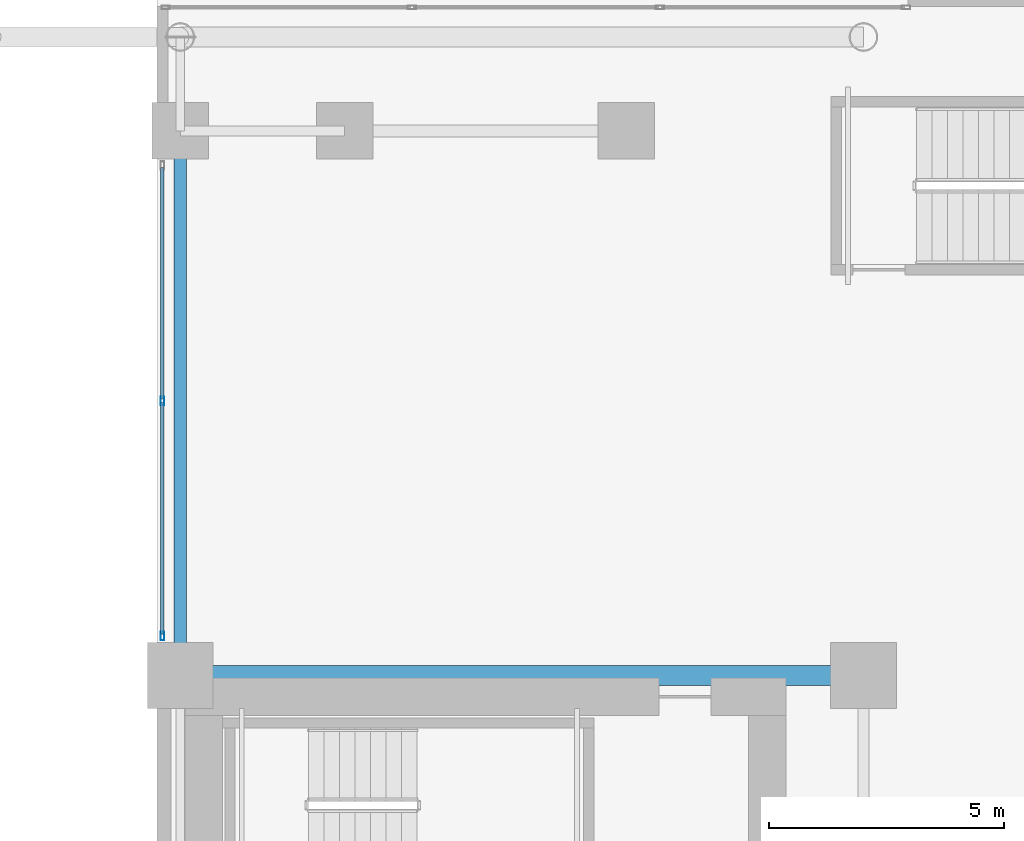
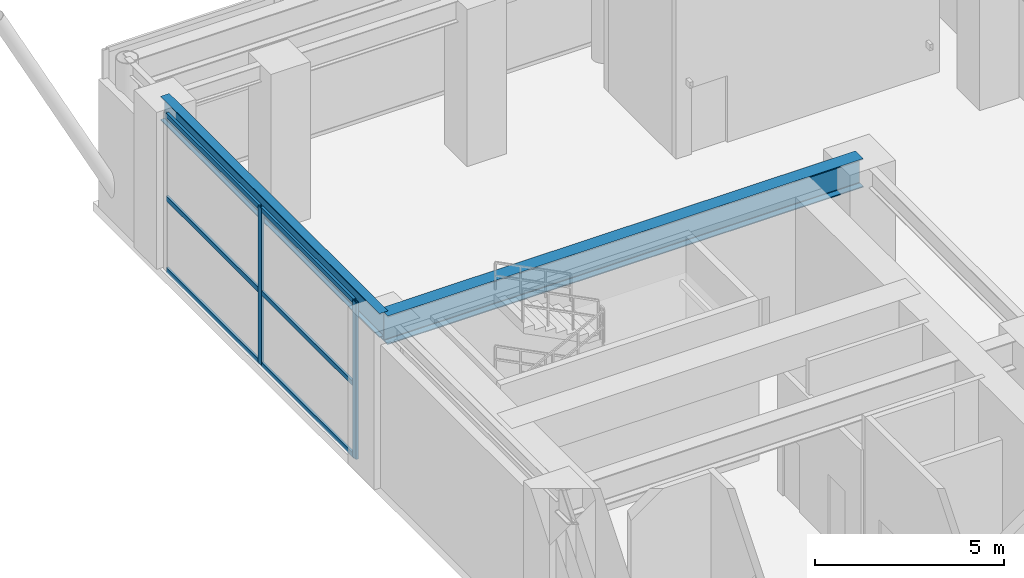
# One storey, part 15 of 29: 8 members, 2 beams, 1 element without a shape of its own.
"""IFC4 building model written with IfcOpenShell, lengths in metres."""

import ifcopenshell
import ifcopenshell.guid

model = None  # the IFC model being written
_history = None  # IfcOwnerHistory: only IFC2X3 demands one
_inside = {}  # id of a spatial element -> (the spatial element, [elements in it])
_under = {}  # id of a project, library or spatial element -> (it, [spatial elements below it])
_declared = {}  # id of a project -> (the project, [libraries it declares])
_typed = {}  # id of a type object -> (the type object, [elements of that type])
_made_of = {}  # id of a material, layer set ... -> (it, [elements and type objects made of it])


def new_model(schema):
    """Start an empty IFC model of exactly this schema.

    Asked for "IFC4X3", IfcOpenShell would pick the latest addendum, in which some entities
    have other attributes; the version numbers below select the first issue.
    IFC2X3 requires an IfcOwnerHistory on every rooted entity: one is made here for all.
    """
    global model, _history
    if schema == "IFC4X3":
        model = ifcopenshell.file(schema_version=(4, 3, 0, 0))
    else:
        model = ifcopenshell.file(schema=schema)
    _inside.clear()
    _under.clear()
    _declared.clear()
    _typed.clear()
    _made_of.clear()
    _history = None
    if model.schema == "IFC2X3":
        org = make("IfcOrganization", Name="unknown")
        user = make(
            "IfcPersonAndOrganization",
            ThePerson=make("IfcPerson", FamilyName="unknown"),
            TheOrganization=org,
        )
        app = make(
            "IfcApplication",
            ApplicationDeveloper=org,
            Version="unknown",
            ApplicationFullName="unknown",
            ApplicationIdentifier="unknown",
        )
        _history = make(
            "IfcOwnerHistory",
            OwningUser=user,
            OwningApplication=app,
            ChangeAction="ADDED",
            CreationDate=0,
        )
    return model


def make(cls, **values):
    """One entity of the class cls with the attributes given. An attribute that is None is left unset."""
    return model.create_entity(
        cls, **{name: value for name, value in values.items() if value is not None}
    )


def rooted(cls, **values):
    """An entity with a GlobalId (a new one), such as an element, a storey or a relation."""
    return make(cls, GlobalId=ifcopenshell.guid.new(), OwnerHistory=_history, **values)


def si_unit(unit_type, name, prefix=None):
    """IfcSIUnit, for example si_unit("LENGTHUNIT", "METRE", prefix="MILLI")."""
    return make("IfcSIUnit", UnitType=unit_type, Prefix=prefix, Name=name)


def assignment(units):
    """IfcUnitAssignment: the units of a project."""
    return None if units is None else make("IfcUnitAssignment", Units=units)


def point(xyz):
    """IfcCartesianPoint."""
    return None if xyz is None else make("IfcCartesianPoint", Coordinates=xyz)


def direction(xyz):
    """IfcDirection."""
    return None if xyz is None else make("IfcDirection", DirectionRatios=xyz)


def frame(location, z_axis=None, x_axis=None):
    """IfcAxis2Placement3D, a coordinate frame: its origin and axes. An axis left out is left unset."""
    return make(
        "IfcAxis2Placement3D",
        Location=point(location),
        Axis=direction(z_axis),
        RefDirection=direction(x_axis),
    )


def frame_2d(location, x_axis=None):
    """IfcAxis2Placement2D, a coordinate frame in the plane: its origin and x axis."""
    return make(
        "IfcAxis2Placement2D", Location=point(location), RefDirection=direction(x_axis)
    )


def origin():
    """The frame at (0, 0, 0) with its axes left unset."""
    return frame((0.0, 0.0, 0.0))


def origin_2d():
    """The frame at (0, 0) in the plane with its x axis left unset."""
    return frame_2d((0.0, 0.0))


def place(relative_to, where):
    """IfcLocalPlacement: puts the frame where relative to a parent placement (None: the world)."""
    return make(
        "IfcLocalPlacement", PlacementRelTo=relative_to, RelativePlacement=where
    )


def context(
    kind, dimensions, precision=None, world=None, true_north=None, identifier=None
):
    """IfcGeometricRepresentationContext, for example the 3D "Model" context."""
    return make(
        "IfcGeometricRepresentationContext",
        ContextIdentifier=identifier,
        ContextType=kind,
        CoordinateSpaceDimension=dimensions,
        Precision=precision,
        WorldCoordinateSystem=world,
        TrueNorth=true_north,
    )


def subcontext(parent, identifier, kind, view, scale=None):
    """IfcGeometricRepresentationSubContext, for example "Body" below "Model"."""
    return make(
        "IfcGeometricRepresentationSubContext",
        ContextIdentifier=identifier,
        ContextType=kind,
        ParentContext=parent,
        TargetScale=scale,
        TargetView=view,
    )


def project(units=None, contexts=None):
    """IfcProject with its units and contexts."""
    return rooted(
        "IfcProject",
        Name="project",
        RepresentationContexts=contexts,
        UnitsInContext=assignment(units),
    )


def spatial(cls, under=None, at=None, **own):
    """A site, building, storey or space (cls), placed at a placement, below another one or the project."""
    s = rooted(cls, ObjectPlacement=at, **own)
    if under is not None:
        _under.setdefault(under.id(), (under, []))[1].append(s)
    return s


def profile(cls, at=None, kind="AREA", **sizes):
    """A parametric profile (cls). Its sizes go by their IFC names, for example OverallWidth=200.0."""
    return make(cls, ProfileType=kind, Position=at, **sizes)


def hollow_rectangle(**sizes):
    """IfcRectangleHollowProfileDef."""
    return profile("IfcRectangleHollowProfileDef", **sizes)


def i_section(**sizes):
    """IfcIShapeProfileDef."""
    return profile("IfcIShapeProfileDef", **sizes)


def extrude(swept, where, along, depth):
    """IfcExtrudedAreaSolid: the profile swept, set in the frame where, extruded along a direction by depth."""
    return make(
        "IfcExtrudedAreaSolid",
        SweptArea=swept,
        Position=where,
        ExtrudedDirection=direction(along),
        Depth=depth,
    )


def shape(context_of_items, identifier, shape_type, items):
    """IfcShapeRepresentation: the items that make up one representation, for example the "Body"."""
    return make(
        "IfcShapeRepresentation",
        ContextOfItems=context_of_items,
        RepresentationIdentifier=identifier,
        RepresentationType=shape_type,
        Items=items,
    )


def source(mapping_origin, context_of_items, identifier, shape_type, items):
    """IfcRepresentationMap: a shape defined once, which mapped items show again and again."""
    return make(
        "IfcRepresentationMap",
        MappingOrigin=mapping_origin,
        MappedRepresentation=shape(context_of_items, identifier, shape_type, items),
    )


def transform(
    local_origin,
    x_axis=None,
    y_axis=None,
    z_axis=None,
    scale=None,
    scale2=None,
    scale3=None,
    uniform=True,
):
    """IfcCartesianTransformationOperator3D, or its non-uniform kind. x_axis, y_axis, z_axis: its Axis1, 2, 3."""
    if uniform:
        return make(
            "IfcCartesianTransformationOperator3D",
            Axis1=direction(x_axis),
            Axis2=direction(y_axis),
            LocalOrigin=point(local_origin),
            Scale=scale,
            Axis3=direction(z_axis),
        )
    return make(
        "IfcCartesianTransformationOperator3DnonUniform",
        Axis1=direction(x_axis),
        Axis2=direction(y_axis),
        LocalOrigin=point(local_origin),
        Scale=scale,
        Axis3=direction(z_axis),
        Scale2=scale2,
        Scale3=scale3,
    )


def mapped(mapping_source, mapping_target):
    """IfcMappedItem: shows the shape of a source again, moved by a transform."""
    return make(
        "IfcMappedItem", MappingSource=mapping_source, MappingTarget=mapping_target
    )


def material(Name=None, Category=None):
    """IfcMaterial."""
    return make("IfcMaterial", Name=Name, Category=Category)


def layer(
    of_material, thickness, ventilated=None, Name=None, Category=None, Priority=None
):
    """IfcMaterialLayer: one layer of a wall or slab, of a material (None: an air gap)."""
    return make(
        "IfcMaterialLayer",
        Material=of_material,
        LayerThickness=thickness,
        IsVentilated=ventilated,
        Name=Name,
        Category=Category,
        Priority=Priority,
    )


def layer_set(layers, Name=None):
    """IfcMaterialLayerSet."""
    return make("IfcMaterialLayerSet", MaterialLayers=layers, LayerSetName=Name)


def material_profile(
    of_material, cross_section, Name=None, Category=None, Priority=None
):
    """IfcMaterialProfile: a cross section and its material."""
    return make(
        "IfcMaterialProfile",
        Name=Name,
        Material=of_material,
        Profile=cross_section,
        Priority=Priority,
        Category=Category,
    )


def profile_set(profiles, Name=None, composite=None):
    """IfcMaterialProfileSet."""
    return make(
        "IfcMaterialProfileSet",
        Name=Name,
        MaterialProfiles=profiles,
        CompositeProfile=composite,
    )


def made_of(thing, what):
    """Note that an element or type object is made of a material, layer set ...; save() writes the relation."""
    if what is not None:
        _made_of.setdefault(what.id(), (what, []))[1].append(thing)
    return thing


def type_object(cls, material=None, **own):
    """A type object (cls), such as IfcWallType, which elements share."""
    return made_of(rooted(cls, **own), material)


def element(
    cls,
    number,
    at=None,
    inside=None,
    cuts=None,
    type_object=None,
    material=None,
    context=None,
    identifier="Body",
    shape_type=None,
    held_by="IfcProductDefinitionShape",
    body=None,
    shapes=None,
    **own,
):
    """One element of the class cls, such as IfcWall. Its Tag is "e" and its number.

    at: its placement. inside: the storey or other place that contains it. cuts: it is an
    opening in that element (IfcRelVoidsElement). A single representation is given by context,
    identifier, shape_type and body (its items); several are given by shapes. held_by: the class
    of the entity that holds the representations. save() writes the other relations.
    """
    e = rooted(cls, Tag="e%d" % number, ObjectPlacement=at, **own)
    if body is not None:
        shapes = [shape(context, identifier, shape_type, body)]
    if shapes is not None:
        e.Representation = make(held_by, Representations=shapes)
    if inside is not None:
        _inside.setdefault(inside.id(), (inside, []))[1].append(e)
    if cuts is not None:
        rooted(
            "IfcRelVoidsElement", RelatingBuildingElement=cuts, RelatedOpeningElement=e
        )
    if type_object is not None:
        _typed.setdefault(type_object.id(), (type_object, []))[1].append(e)
    return made_of(e, material)


def aggregate(whole, parts):
    """IfcRelAggregates: a whole, such as a stair, and the parts it consists of."""
    return rooted("IfcRelAggregates", RelatingObject=whole, RelatedObjects=parts)


def save(model, path):
    """Write the relations noted so far, then the file.

    IfcRelAggregates (storeys below a building ...), IfcRelContainedInSpatialStructure (elements
    in a storey), IfcRelDefinesByType, IfcRelAssociatesMaterial and IfcRelDeclares: one each for
    every whole, place, type object, material and project.
    """
    for whole, parts in _under.values():
        aggregate(whole, parts)
    for where, things in _inside.values():
        rooted(
            "IfcRelContainedInSpatialStructure",
            RelatedElements=things,
            RelatingStructure=where,
        )
    for kind, things in _typed.values():
        rooted("IfcRelDefinesByType", RelatedObjects=things, RelatingType=kind)
    for what, things in _made_of.values():
        rooted("IfcRelAssociatesMaterial", RelatedObjects=things, RelatingMaterial=what)
    for by, libraries in _declared.values():
        rooted("IfcRelDeclares", RelatingContext=by, RelatedDefinitions=libraries)
    model.write(path)


model = new_model("IFC4")

# Units and contexts
model_context = context("Model", 3, precision=1e-05, world=origin(), true_north=direction((0.0, 1.0)))
body_context = subcontext(model_context, "Body", "Model", "MODEL_VIEW")
ifc_project = project(units=[si_unit("LENGTHUNIT", "METRE"), si_unit("AREAUNIT", "SQUARE_METRE"), si_unit("VOLUMEUNIT", "CUBIC_METRE"), si_unit("PLANEANGLEUNIT", "RADIAN"), si_unit("MASSUNIT", "GRAM", prefix="KILO")], contexts=[model_context])

# Site, building, storey
site_placement = place(None, origin())
site = spatial("IfcSite", under=ifc_project, at=site_placement, CompositionType="ELEMENT")
building_placement = place(site_placement, origin())
building = spatial("IfcBuilding", under=site, at=building_placement, Name="Ocotamira Hotel", CompositionType="ELEMENT")
storey_placement = place(building_placement, frame((0.0, 0.0, 6.0)))
storey = spatial("IfcBuildingStorey", under=building, at=storey_placement, Name="L02", CompositionType="ELEMENT", Elevation=6.0)

# Beams
ifc_material_1 = material(Name="Steel ASTM A992 Grade 50", Category="steel")
ifc_material_profile_1 = material_profile(ifc_material_1, i_section(OverallWidth=0.41796875, OverallDepth=0.927001953125, WebThickness=0.019287109375, FlangeThickness=0.031982421875, FilletRadius=0.02392578125, at=origin_2d()), Name="W36X231")
ifc_profile_set_1 = profile_set([ifc_material_profile_1], Name="Steel ASTM A992 Grade 50")
beam_type_1 = type_object("IfcBeamType", Name="BM-GIRD-W36X231", PredefinedType="BEAM", material=ifc_profile_set_1)
shared_shape_1 = source(origin(), body_context, "Body", "SweptSolid", [
    extrude(i_section(OverallWidth=0.41796875, OverallDepth=0.927001953125, WebThickness=0.019287109375, FlangeThickness=0.031982421875, FilletRadius=0.02392578125, at=origin_2d()), origin(), (0.0, 0.0, 1.0), 14.550048828125),
])
beam_1_placement = place(storey_placement, frame((40.5, 37.449951171875, 4.616455078125), z_axis=(1.0, 0.0, 0.0), x_axis=(0.0, 1.0, 0.0)))
element("IfcBeam", 1, at=beam_1_placement, inside=storey, type_object=beam_type_1, Name="L02 Girder Y37.45 X40.5-55.05", PredefinedType="BEAM", context=body_context, shape_type="MappedRepresentation", body=[
    mapped(shared_shape_1, transform((0.0, 0.0, 0.0), scale=1.0)),
])
ifc_material_profile_2 = material_profile(ifc_material_1, i_section(OverallWidth=0.26611328125, OverallDepth=0.779052734375, WebThickness=0.0166015625, FlangeThickness=0.030029296875, FilletRadius=0.01806640625, at=origin_2d()), Name="W30X148")
ifc_profile_set_2 = profile_set([ifc_material_profile_2], Name="Steel ASTM A992 Grade 50")
beam_type_2 = type_object("IfcBeamType", Name="BM-GIRD-W30X148", PredefinedType="BEAM", material=ifc_profile_set_2)
shared_shape_2 = source(origin(), body_context, "Body", "SweptSolid", [
    extrude(i_section(OverallWidth=0.26611328125, OverallDepth=0.779052734375, WebThickness=0.0166015625, FlangeThickness=0.030029296875, FilletRadius=0.01806640625, at=origin_2d()), origin(), (0.0, 0.0, 1.0), 11.60009765625),
])
beam_2_placement = place(storey_placement, frame((40.5, 37.449951171875, 4.6904296875), z_axis=(0.0, 1.0, 0.0), x_axis=(-1.0, 0.0, 0.0)))
element("IfcBeam", 2, at=beam_2_placement, inside=storey, type_object=beam_type_2, Name="L02 Beam X40.5 Y37.45-49.05", PredefinedType="BEAM", context=body_context, shape_type="MappedRepresentation", body=[
    mapped(shared_shape_2, transform((0.0, 0.0, 0.0), scale=1.0)),
])

# Curtain wall, members
ifc_material_2 = material(Name="Anodised pale-metal aluminium and solar glass", Category="aluminium")
ifc_layer = layer(ifc_material_2, 0.219970703125)
ifc_layer_set = layer_set([ifc_layer], Name="Anodised pale-metal aluminium and solar glass")
curtain_wall_type = type_object("IfcCurtainWallType", Name="CW-SYS1-POD", PredefinedType="NOTDEFINED", material=ifc_layer_set)
curtain_wall_placement = place(storey_placement, origin())
curtain_wall = element("IfcCurtainWall", 3, at=curtain_wall_placement, inside=storey, type_object=curtain_wall_type, Name="L02 Curtain Wall CW-1 CW-L02-AE-N", PredefinedType="NOTDEFINED")
ifc_material_3 = material(Name="Anodised pale-metal aluminium 6063-T6", Category="aluminium")
ifc_material_profile_3 = material_profile(ifc_material_3, hollow_rectangle(XDim=0.080078125, YDim=0.179931640625, WallThickness=0.006103515625, at=origin_2d()), Name="HSS180X80X6")
ifc_profile_set_3 = profile_set([ifc_material_profile_3], Name="Anodised pale-metal aluminium 6063-T6")
member_type_1 = type_object("IfcMemberType", Name="CWM-180X75", PredefinedType="MULLION", material=ifc_profile_set_3)
shared_shape_3 = source(origin(), body_context, "Body", "SweptSolid", [
    extrude(hollow_rectangle(XDim=0.080078125, YDim=0.179931640625, WallThickness=0.006103515625, at=origin_2d()), origin(), (0.0, 0.0, 1.0), 5.080078125),
])
member_1_placement = place(storey_placement, frame((40.1201171875, 38.2900390625, 0.0), z_axis=(0.0, 0.0, 1.0), x_axis=(-1.0, 0.0, 0.0)))
member_1 = element("IfcMember", 4, at=member_1_placement, type_object=member_type_1, Name="CW-1 mullion 1", PredefinedType="MULLION", context=body_context, shape_type="MappedRepresentation", body=[
    mapped(shared_shape_3, transform((0.0, 0.0, 0.0), scale=1.0)),
])
member_2_placement = place(storey_placement, frame((40.1201171875, 43.300048828125, 0.0), z_axis=(0.0, 0.0, 1.0), x_axis=(-1.0, 0.0, 0.0)))
member_2 = element("IfcMember", 5, at=member_2_placement, type_object=member_type_1, Name="CW-1 mullion 2", PredefinedType="MULLION", context=body_context, shape_type="MappedRepresentation", body=[
    mapped(shared_shape_3, transform((0.0, 0.0, 0.0), scale=1.0)),
])
ifc_material_profile_4 = material_profile(ifc_material_3, hollow_rectangle(XDim=0.074951171875, YDim=0.14990234375, WallThickness=0.006103515625, at=origin_2d()), Name="HSS150X75X6")
ifc_profile_set_4 = profile_set([ifc_material_profile_4], Name="Anodised pale-metal aluminium 6063-T6")
member_type_2 = type_object("IfcMemberType", Name="CWT-150X75", PredefinedType="USERDEFINED", material=ifc_profile_set_4)
shared_shape_4 = source(origin(), body_context, "Body", "SweptSolid", [
    extrude(hollow_rectangle(XDim=0.074951171875, YDim=0.14990234375, WallThickness=0.006103515625, at=origin_2d()), origin(), (0.0, 0.0, 1.0), 4.929931640625),
])
member_3_placement = place(storey_placement, frame((40.1201171875, 38.330078125, 0.03759765625), z_axis=(0.0, 1.0, 0.0), x_axis=(-1.0, 0.0, 0.0)))
member_3 = element("IfcMember", 6, at=member_3_placement, type_object=member_type_2, Name="CW-1 transom 1.1", ObjectType="TRANSOM", PredefinedType="USERDEFINED", context=body_context, shape_type="MappedRepresentation", body=[
    mapped(shared_shape_4, transform((0.0, 0.0, 0.0), scale=1.0)),
])
member_4_placement = place(storey_placement, frame((40.1201171875, 38.330078125, 2.35009765625), z_axis=(0.0, 1.0, 0.0), x_axis=(-1.0, 0.0, 0.0)))
member_4 = element("IfcMember", 7, at=member_4_placement, type_object=member_type_2, Name="CW-1 transom 1.2", ObjectType="TRANSOM", PredefinedType="USERDEFINED", context=body_context, shape_type="MappedRepresentation", body=[
    mapped(shared_shape_4, transform((0.0, 0.0, 0.0), scale=1.0)),
])
member_5_placement = place(storey_placement, frame((40.1201171875, 38.330078125, 5.04248046875), z_axis=(0.0, 1.0, 0.0), x_axis=(-1.0, 0.0, 0.0)))
member_5 = element("IfcMember", 8, at=member_5_placement, type_object=member_type_2, Name="CW-1 transom 1.3", ObjectType="TRANSOM", PredefinedType="USERDEFINED", context=body_context, shape_type="MappedRepresentation", body=[
    mapped(shared_shape_4, transform((0.0, 0.0, 0.0), scale=1.0)),
])
member_6_placement = place(storey_placement, frame((40.1201171875, 43.340087890625, 0.03759765625), z_axis=(0.0, 1.0, 0.0), x_axis=(-1.0, 0.0, 0.0)))
member_6 = element("IfcMember", 9, at=member_6_placement, type_object=member_type_2, Name="CW-1 transom 2.1", ObjectType="TRANSOM", PredefinedType="USERDEFINED", context=body_context, shape_type="MappedRepresentation", body=[
    mapped(shared_shape_4, transform((0.0, 0.0, 0.0), scale=1.0)),
])
member_7_placement = place(storey_placement, frame((40.1201171875, 43.340087890625, 2.35009765625), z_axis=(0.0, 1.0, 0.0), x_axis=(-1.0, 0.0, 0.0)))
member_7 = element("IfcMember", 10, at=member_7_placement, type_object=member_type_2, Name="CW-1 transom 2.2", ObjectType="TRANSOM", PredefinedType="USERDEFINED", context=body_context, shape_type="MappedRepresentation", body=[
    mapped(shared_shape_4, transform((0.0, 0.0, 0.0), scale=1.0)),
])
member_8_placement = place(storey_placement, frame((40.1201171875, 43.340087890625, 5.04248046875), z_axis=(0.0, 1.0, 0.0), x_axis=(-1.0, 0.0, 0.0)))
member_8 = element("IfcMember", 11, at=member_8_placement, type_object=member_type_2, Name="CW-1 transom 2.3", ObjectType="TRANSOM", PredefinedType="USERDEFINED", context=body_context, shape_type="MappedRepresentation", body=[
    mapped(shared_shape_4, transform((0.0, 0.0, 0.0), scale=1.0)),
])
aggregate(curtain_wall, [member_1, member_2, member_3, member_4, member_5, member_6, member_7, member_8])

save(model, "model.ifc")
